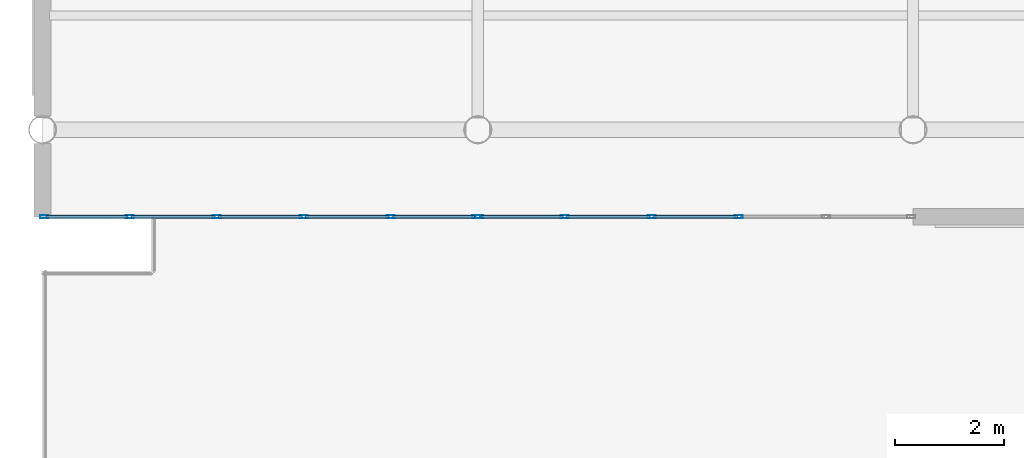
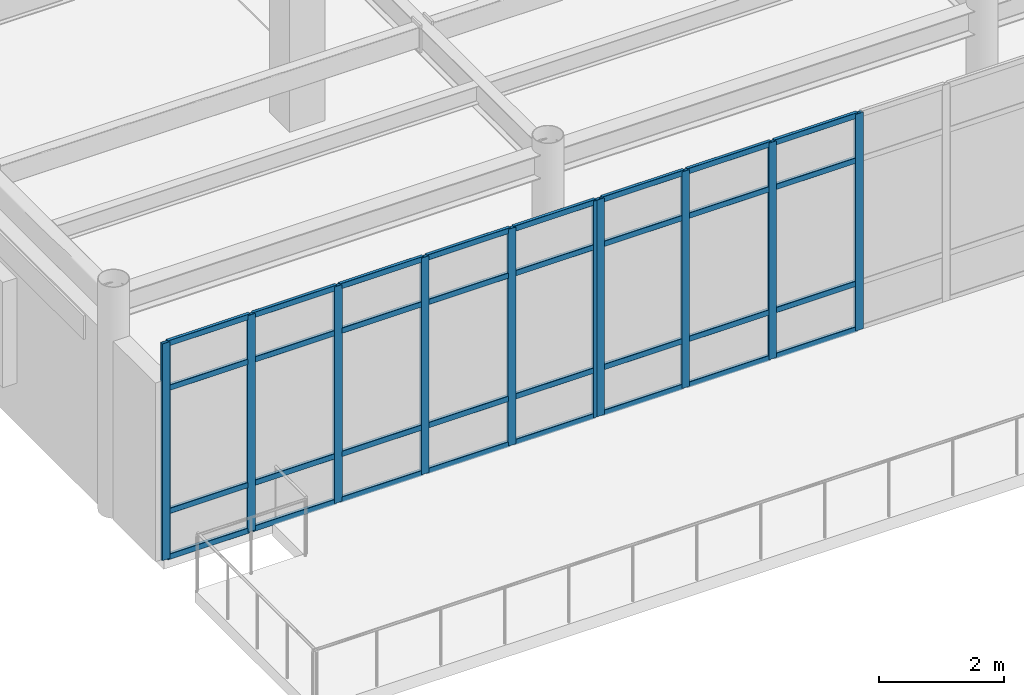
# One storey, part 32 of 93: 42 members, 2 elements without a shape of their own.
"""IFC4 building model written with IfcOpenShell, lengths in metres."""

from ifc_helpers import new_model, si_unit, direction, frame, origin, origin_2d, place, context, subcontext, project, spatial, hollow_rectangle, extrude, material, material_profile, profile_set, type_object, element, aggregate, save


model = new_model("IFC4")

# Units and contexts
model_context = context("Model", 3, precision=1e-05, world=origin(), true_north=direction((0.0, 1.0)))
body_context = subcontext(model_context, "Body", "Model", "MODEL_VIEW")
ifc_project = project(units=[si_unit("LENGTHUNIT", "METRE"), si_unit("AREAUNIT", "SQUARE_METRE"), si_unit("VOLUMEUNIT", "CUBIC_METRE"), si_unit("PLANEANGLEUNIT", "RADIAN"), si_unit("MASSUNIT", "GRAM", prefix="KILO")], contexts=[model_context])

# Site, building, storey
site_placement = place(None, origin())
site = spatial("IfcSite", under=ifc_project, at=site_placement, CompositionType="ELEMENT")
building_placement = place(site_placement, origin())
building = spatial("IfcBuilding", under=site, at=building_placement, Name="Solmirada Galleria", CompositionType="ELEMENT")
storey_placement = place(building_placement, frame((0.0, 0.0, 14.89990234375)))
storey = spatial("IfcBuildingStorey", under=building, at=storey_placement, Name="L03", CompositionType="ELEMENT", Elevation=14.89990234375)

# Curtain wall, members
ifc_material_1 = material(Name="Impact-resistant low-E double glazing", Category="glass")
curtain_wall_type = type_object("IfcCurtainWallType", Name="CW-FZ4-L03-B5-L080", PredefinedType="NOTDEFINED", material=ifc_material_1)
curtain_wall_1_placement = place(storey_placement, origin())
curtain_wall_1 = element("IfcCurtainWall", 1, at=curtain_wall_1_placement, inside=storey, type_object=curtain_wall_type, Name="Terrace and arcade storefront CW-L03-126", PredefinedType="NOTDEFINED")
ifc_material_2 = material(Name="Anodised aluminium framing", Category="aluminium")
ifc_material_profile_1 = material_profile(ifc_material_2, hollow_rectangle(XDim=0.06005859375, YDim=0.14990234375, WallThickness=0.00341796875, InnerFilletRadius=0.00341796875, OuterFilletRadius=0.007080078125, at=origin_2d()), Name="ALU-MULL-150X60")
ifc_profile_set_1 = profile_set([ifc_material_profile_1], Name="Anodised aluminium framing")
member_type_1 = type_object("IfcMemberType", Name="CW-MULL-150", PredefinedType="MULLION", material=ifc_profile_set_1)
member_1_placement = place(storey_placement, frame((52.800048828125, 86.39990234375, 0.0), z_axis=(0.0, 0.0, 1.0), x_axis=(0.0, -1.0, 0.0)))
member_1 = element("IfcMember", 2, at=member_1_placement, type_object=member_type_1, Name="CW28 mullion 3", PredefinedType="MULLION", context=body_context, shape_type="SweptSolid", body=[
    extrude(hollow_rectangle(XDim=0.06005859375, YDim=0.14990234375, WallThickness=0.00341796875, InnerFilletRadius=0.00341796875, OuterFilletRadius=0.007080078125, at=origin_2d()), origin(), (0.0, 0.0, 1.0), 4.22021484375),
])
member_2_placement = place(storey_placement, frame((51.199951171875, 86.39990234375, 0.0), z_axis=(0.0, 0.0, 1.0), x_axis=(0.0, -1.0, 0.0)))
member_2 = element("IfcMember", 3, at=member_2_placement, type_object=member_type_1, Name="CW28 mullion 4", PredefinedType="MULLION", context=body_context, shape_type="SweptSolid", body=[
    extrude(hollow_rectangle(XDim=0.06005859375, YDim=0.14990234375, WallThickness=0.00341796875, InnerFilletRadius=0.00341796875, OuterFilletRadius=0.007080078125, at=origin_2d()), origin(), (0.0, 0.0, 1.0), 4.22021484375),
])
member_3_placement = place(storey_placement, frame((49.60009765625, 86.39990234375, 0.0), z_axis=(0.0, 0.0, 1.0), x_axis=(0.0, -1.0, 0.0)))
member_3 = element("IfcMember", 4, at=member_3_placement, type_object=member_type_1, Name="CW28 mullion 5", PredefinedType="MULLION", context=body_context, shape_type="SweptSolid", body=[
    extrude(hollow_rectangle(XDim=0.06005859375, YDim=0.14990234375, WallThickness=0.00341796875, InnerFilletRadius=0.00341796875, OuterFilletRadius=0.007080078125, at=origin_2d()), origin(), (0.0, 0.0, 1.0), 4.22021484375),
])
member_4_placement = place(storey_placement, frame((48.030029296875, 86.39990234375, 0.0), z_axis=(0.0, 0.0, 1.0), x_axis=(0.0, -1.0, 0.0)))
member_4 = element("IfcMember", 5, at=member_4_placement, type_object=member_type_1, Name="CW28 mullion 6", PredefinedType="MULLION", context=body_context, shape_type="SweptSolid", body=[
    extrude(hollow_rectangle(XDim=0.06005859375, YDim=0.14990234375, WallThickness=0.00341796875, InnerFilletRadius=0.00341796875, OuterFilletRadius=0.007080078125, at=origin_2d()), origin(), (0.0, 0.0, 1.0), 4.22021484375),
])

curtain_wall_2_placement = place(storey_placement, origin())
curtain_wall_2 = element("IfcCurtainWall", 6, at=curtain_wall_2_placement, inside=storey, type_object=curtain_wall_type, Name="Terrace and arcade storefront CW-L03-127", PredefinedType="NOTDEFINED")
member_5_placement = place(storey_placement, frame((47.969970703125, 86.39990234375, 0.0), z_axis=(0.0, 0.0, 1.0), x_axis=(0.0, -1.0, 0.0)))
member_5 = element("IfcMember", 7, at=member_5_placement, type_object=member_type_1, Name="CW28 mullion 1", PredefinedType="MULLION", context=body_context, shape_type="SweptSolid", body=[
    extrude(hollow_rectangle(XDim=0.06005859375, YDim=0.14990234375, WallThickness=0.00341796875, InnerFilletRadius=0.00341796875, OuterFilletRadius=0.007080078125, at=origin_2d()), origin(), (0.0, 0.0, 1.0), 4.22021484375),
])
member_6_placement = place(storey_placement, frame((46.39990234375, 86.39990234375, 0.0), z_axis=(0.0, 0.0, 1.0), x_axis=(0.0, -1.0, 0.0)))
member_6 = element("IfcMember", 8, at=member_6_placement, type_object=member_type_1, Name="CW28 mullion 2", PredefinedType="MULLION", context=body_context, shape_type="SweptSolid", body=[
    extrude(hollow_rectangle(XDim=0.06005859375, YDim=0.14990234375, WallThickness=0.00341796875, InnerFilletRadius=0.00341796875, OuterFilletRadius=0.007080078125, at=origin_2d()), origin(), (0.0, 0.0, 1.0), 4.22021484375),
])
member_7_placement = place(storey_placement, frame((44.800048828125, 86.39990234375, 0.0), z_axis=(0.0, 0.0, 1.0), x_axis=(0.0, -1.0, 0.0)))
member_7 = element("IfcMember", 9, at=member_7_placement, type_object=member_type_1, Name="CW28 mullion 3", PredefinedType="MULLION", context=body_context, shape_type="SweptSolid", body=[
    extrude(hollow_rectangle(XDim=0.06005859375, YDim=0.14990234375, WallThickness=0.00341796875, InnerFilletRadius=0.00341796875, OuterFilletRadius=0.007080078125, at=origin_2d()), origin(), (0.0, 0.0, 1.0), 4.22021484375),
])
member_8_placement = place(storey_placement, frame((43.199951171875, 86.39990234375, 0.0), z_axis=(0.0, 0.0, 1.0), x_axis=(0.0, -1.0, 0.0)))
member_8 = element("IfcMember", 10, at=member_8_placement, type_object=member_type_1, Name="CW28 mullion 4", PredefinedType="MULLION", context=body_context, shape_type="SweptSolid", body=[
    extrude(hollow_rectangle(XDim=0.06005859375, YDim=0.14990234375, WallThickness=0.00341796875, InnerFilletRadius=0.00341796875, OuterFilletRadius=0.007080078125, at=origin_2d()), origin(), (0.0, 0.0, 1.0), 4.22021484375),
])
member_9_placement = place(storey_placement, frame((41.60009765625, 86.39990234375, 0.0), z_axis=(0.0, 0.0, 1.0), x_axis=(0.0, -1.0, 0.0)))
member_9 = element("IfcMember", 11, at=member_9_placement, type_object=member_type_1, Name="CW28 mullion 5", PredefinedType="MULLION", context=body_context, shape_type="SweptSolid", body=[
    extrude(hollow_rectangle(XDim=0.06005859375, YDim=0.14990234375, WallThickness=0.00341796875, InnerFilletRadius=0.00341796875, OuterFilletRadius=0.007080078125, at=origin_2d()), origin(), (0.0, 0.0, 1.0), 4.22021484375),
])
member_10_placement = place(storey_placement, frame((40.030029296875, 86.39990234375, 0.0), z_axis=(0.0, 0.0, 1.0), x_axis=(0.0, -1.0, 0.0)))
member_10 = element("IfcMember", 12, at=member_10_placement, type_object=member_type_1, Name="CW28 mullion 6", PredefinedType="MULLION", context=body_context, shape_type="SweptSolid", body=[
    extrude(hollow_rectangle(XDim=0.06005859375, YDim=0.14990234375, WallThickness=0.00341796875, InnerFilletRadius=0.00341796875, OuterFilletRadius=0.007080078125, at=origin_2d()), origin(), (0.0, 0.0, 1.0), 4.22021484375),
])

# Member
ifc_material_profile_2 = material_profile(ifc_material_2, hollow_rectangle(XDim=0.06005859375, YDim=0.110107421875, WallThickness=0.003173828125, InnerFilletRadius=0.003173828125, OuterFilletRadius=0.00634765625, at=origin_2d()), Name="ALU-TRAN-110X60")
ifc_profile_set_2 = profile_set([ifc_material_profile_2], Name="Anodised aluminium framing")
member_type_2 = type_object("IfcMemberType", Name="CW-TRAN-110", PredefinedType="USERDEFINED", material=ifc_profile_set_2)
member_11_placement = place(storey_placement, frame((52.77001953125, 86.39990234375, 0.030029296875), z_axis=(-1.0, 0.0, 0.0), x_axis=(0.0, -1.0, 0.0)))
member_11 = element("IfcMember", 13, at=member_11_placement, type_object=member_type_2, Name="CW28 transom 3.1", ObjectType="TRANSOM", PredefinedType="USERDEFINED", context=body_context, shape_type="SweptSolid", body=[
    extrude(hollow_rectangle(XDim=0.06005859375, YDim=0.110107421875, WallThickness=0.003173828125, InnerFilletRadius=0.003173828125, OuterFilletRadius=0.00634765625, at=origin_2d()), origin(), (0.0, 0.0, 1.0), 1.5400390625),
])

member_12_placement = place(storey_placement, frame((52.77001953125, 86.39990234375, 0.920166015625), z_axis=(-1.0, 0.0, 0.0), x_axis=(0.0, -1.0, 0.0)))
member_12 = element("IfcMember", 14, at=member_12_placement, type_object=member_type_2, Name="CW28 transom 3.2", ObjectType="TRANSOM", PredefinedType="USERDEFINED", context=body_context, shape_type="SweptSolid", body=[
    extrude(hollow_rectangle(XDim=0.06005859375, YDim=0.110107421875, WallThickness=0.003173828125, InnerFilletRadius=0.003173828125, OuterFilletRadius=0.00634765625, at=origin_2d()), origin(), (0.0, 0.0, 1.0), 1.5400390625),
])

member_13_placement = place(storey_placement, frame((52.77001953125, 86.39990234375, 3.320068359375), z_axis=(-1.0, 0.0, 0.0), x_axis=(0.0, -1.0, 0.0)))
member_13 = element("IfcMember", 15, at=member_13_placement, type_object=member_type_2, Name="CW28 transom 3.3", ObjectType="TRANSOM", PredefinedType="USERDEFINED", context=body_context, shape_type="SweptSolid", body=[
    extrude(hollow_rectangle(XDim=0.06005859375, YDim=0.110107421875, WallThickness=0.003173828125, InnerFilletRadius=0.003173828125, OuterFilletRadius=0.00634765625, at=origin_2d()), origin(), (0.0, 0.0, 1.0), 1.5400390625),
])

member_14_placement = place(storey_placement, frame((52.77001953125, 86.39990234375, 4.190185546875), z_axis=(-1.0, 0.0, 0.0), x_axis=(0.0, -1.0, 0.0)))
member_14 = element("IfcMember", 16, at=member_14_placement, type_object=member_type_2, Name="CW28 transom 3.4", ObjectType="TRANSOM", PredefinedType="USERDEFINED", context=body_context, shape_type="SweptSolid", body=[
    extrude(hollow_rectangle(XDim=0.06005859375, YDim=0.110107421875, WallThickness=0.003173828125, InnerFilletRadius=0.003173828125, OuterFilletRadius=0.00634765625, at=origin_2d()), origin(), (0.0, 0.0, 1.0), 1.5400390625),
])

member_15_placement = place(storey_placement, frame((51.169921875, 86.39990234375, 0.030029296875), z_axis=(-1.0, 0.0, 0.0), x_axis=(0.0, -1.0, 0.0)))
member_15 = element("IfcMember", 17, at=member_15_placement, type_object=member_type_2, Name="CW28 transom 4.1", ObjectType="TRANSOM", PredefinedType="USERDEFINED", context=body_context, shape_type="SweptSolid", body=[
    extrude(hollow_rectangle(XDim=0.06005859375, YDim=0.110107421875, WallThickness=0.003173828125, InnerFilletRadius=0.003173828125, OuterFilletRadius=0.00634765625, at=origin_2d()), origin(), (0.0, 0.0, 1.0), 1.5400390625),
])

member_16_placement = place(storey_placement, frame((51.169921875, 86.39990234375, 0.920166015625), z_axis=(-1.0, 0.0, 0.0), x_axis=(0.0, -1.0, 0.0)))
member_16 = element("IfcMember", 18, at=member_16_placement, type_object=member_type_2, Name="CW28 transom 4.2", ObjectType="TRANSOM", PredefinedType="USERDEFINED", context=body_context, shape_type="SweptSolid", body=[
    extrude(hollow_rectangle(XDim=0.06005859375, YDim=0.110107421875, WallThickness=0.003173828125, InnerFilletRadius=0.003173828125, OuterFilletRadius=0.00634765625, at=origin_2d()), origin(), (0.0, 0.0, 1.0), 1.5400390625),
])

member_17_placement = place(storey_placement, frame((51.169921875, 86.39990234375, 3.320068359375), z_axis=(-1.0, 0.0, 0.0), x_axis=(0.0, -1.0, 0.0)))
member_17 = element("IfcMember", 19, at=member_17_placement, type_object=member_type_2, Name="CW28 transom 4.3", ObjectType="TRANSOM", PredefinedType="USERDEFINED", context=body_context, shape_type="SweptSolid", body=[
    extrude(hollow_rectangle(XDim=0.06005859375, YDim=0.110107421875, WallThickness=0.003173828125, InnerFilletRadius=0.003173828125, OuterFilletRadius=0.00634765625, at=origin_2d()), origin(), (0.0, 0.0, 1.0), 1.5400390625),
])

member_18_placement = place(storey_placement, frame((51.169921875, 86.39990234375, 4.190185546875), z_axis=(-1.0, 0.0, 0.0), x_axis=(0.0, -1.0, 0.0)))
member_18 = element("IfcMember", 20, at=member_18_placement, type_object=member_type_2, Name="CW28 transom 4.4", ObjectType="TRANSOM", PredefinedType="USERDEFINED", context=body_context, shape_type="SweptSolid", body=[
    extrude(hollow_rectangle(XDim=0.06005859375, YDim=0.110107421875, WallThickness=0.003173828125, InnerFilletRadius=0.003173828125, OuterFilletRadius=0.00634765625, at=origin_2d()), origin(), (0.0, 0.0, 1.0), 1.5400390625),
])

member_19_placement = place(storey_placement, frame((49.570068359375, 86.39990234375, 0.030029296875), z_axis=(-1.0, 0.0, 0.0), x_axis=(0.0, -1.0, 0.0)))
member_19 = element("IfcMember", 21, at=member_19_placement, type_object=member_type_2, Name="CW28 transom 5.1", ObjectType="TRANSOM", PredefinedType="USERDEFINED", context=body_context, shape_type="SweptSolid", body=[
    extrude(hollow_rectangle(XDim=0.06005859375, YDim=0.110107421875, WallThickness=0.003173828125, InnerFilletRadius=0.003173828125, OuterFilletRadius=0.00634765625, at=origin_2d()), origin(), (0.0, 0.0, 1.0), 1.510009765625),
])

member_20_placement = place(storey_placement, frame((49.570068359375, 86.39990234375, 0.920166015625), z_axis=(-1.0, 0.0, 0.0), x_axis=(0.0, -1.0, 0.0)))
member_20 = element("IfcMember", 22, at=member_20_placement, type_object=member_type_2, Name="CW28 transom 5.2", ObjectType="TRANSOM", PredefinedType="USERDEFINED", context=body_context, shape_type="SweptSolid", body=[
    extrude(hollow_rectangle(XDim=0.06005859375, YDim=0.110107421875, WallThickness=0.003173828125, InnerFilletRadius=0.003173828125, OuterFilletRadius=0.00634765625, at=origin_2d()), origin(), (0.0, 0.0, 1.0), 1.510009765625),
])

member_21_placement = place(storey_placement, frame((49.570068359375, 86.39990234375, 3.320068359375), z_axis=(-1.0, 0.0, 0.0), x_axis=(0.0, -1.0, 0.0)))
member_21 = element("IfcMember", 23, at=member_21_placement, type_object=member_type_2, Name="CW28 transom 5.3", ObjectType="TRANSOM", PredefinedType="USERDEFINED", context=body_context, shape_type="SweptSolid", body=[
    extrude(hollow_rectangle(XDim=0.06005859375, YDim=0.110107421875, WallThickness=0.003173828125, InnerFilletRadius=0.003173828125, OuterFilletRadius=0.00634765625, at=origin_2d()), origin(), (0.0, 0.0, 1.0), 1.510009765625),
])

member_22_placement = place(storey_placement, frame((49.570068359375, 86.39990234375, 4.190185546875), z_axis=(-1.0, 0.0, 0.0), x_axis=(0.0, -1.0, 0.0)))
member_22 = element("IfcMember", 24, at=member_22_placement, type_object=member_type_2, Name="CW28 transom 5.4", ObjectType="TRANSOM", PredefinedType="USERDEFINED", context=body_context, shape_type="SweptSolid", body=[
    extrude(hollow_rectangle(XDim=0.06005859375, YDim=0.110107421875, WallThickness=0.003173828125, InnerFilletRadius=0.003173828125, OuterFilletRadius=0.00634765625, at=origin_2d()), origin(), (0.0, 0.0, 1.0), 1.510009765625),
])

aggregate(curtain_wall_1, [member_1, member_2, member_3, member_4, member_11, member_12, member_13, member_14, member_15, member_16, member_17, member_18, member_19, member_20, member_21, member_22])

member_23_placement = place(storey_placement, frame((47.93994140625, 86.39990234375, 0.030029296875), z_axis=(-1.0, 0.0, 0.0), x_axis=(0.0, -1.0, 0.0)))
member_23 = element("IfcMember", 25, at=member_23_placement, type_object=member_type_2, Name="CW28 transom 1.1", ObjectType="TRANSOM", PredefinedType="USERDEFINED", context=body_context, shape_type="SweptSolid", body=[
    extrude(hollow_rectangle(XDim=0.06005859375, YDim=0.110107421875, WallThickness=0.003173828125, InnerFilletRadius=0.003173828125, OuterFilletRadius=0.00634765625, at=origin_2d()), origin(), (0.0, 0.0, 1.0), 1.510009765625),
])

member_24_placement = place(storey_placement, frame((47.93994140625, 86.39990234375, 0.920166015625), z_axis=(-1.0, 0.0, 0.0), x_axis=(0.0, -1.0, 0.0)))
member_24 = element("IfcMember", 26, at=member_24_placement, type_object=member_type_2, Name="CW28 transom 1.2", ObjectType="TRANSOM", PredefinedType="USERDEFINED", context=body_context, shape_type="SweptSolid", body=[
    extrude(hollow_rectangle(XDim=0.06005859375, YDim=0.110107421875, WallThickness=0.003173828125, InnerFilletRadius=0.003173828125, OuterFilletRadius=0.00634765625, at=origin_2d()), origin(), (0.0, 0.0, 1.0), 1.510009765625),
])

member_25_placement = place(storey_placement, frame((47.93994140625, 86.39990234375, 3.320068359375), z_axis=(-1.0, 0.0, 0.0), x_axis=(0.0, -1.0, 0.0)))
member_25 = element("IfcMember", 27, at=member_25_placement, type_object=member_type_2, Name="CW28 transom 1.3", ObjectType="TRANSOM", PredefinedType="USERDEFINED", context=body_context, shape_type="SweptSolid", body=[
    extrude(hollow_rectangle(XDim=0.06005859375, YDim=0.110107421875, WallThickness=0.003173828125, InnerFilletRadius=0.003173828125, OuterFilletRadius=0.00634765625, at=origin_2d()), origin(), (0.0, 0.0, 1.0), 1.510009765625),
])

member_26_placement = place(storey_placement, frame((47.93994140625, 86.39990234375, 4.190185546875), z_axis=(-1.0, 0.0, 0.0), x_axis=(0.0, -1.0, 0.0)))
member_26 = element("IfcMember", 28, at=member_26_placement, type_object=member_type_2, Name="CW28 transom 1.4", ObjectType="TRANSOM", PredefinedType="USERDEFINED", context=body_context, shape_type="SweptSolid", body=[
    extrude(hollow_rectangle(XDim=0.06005859375, YDim=0.110107421875, WallThickness=0.003173828125, InnerFilletRadius=0.003173828125, OuterFilletRadius=0.00634765625, at=origin_2d()), origin(), (0.0, 0.0, 1.0), 1.510009765625),
])

member_27_placement = place(storey_placement, frame((46.3701171875, 86.39990234375, 0.030029296875), z_axis=(-1.0, 0.0, 0.0), x_axis=(0.0, -1.0, 0.0)))
member_27 = element("IfcMember", 29, at=member_27_placement, type_object=member_type_2, Name="CW28 transom 2.1", ObjectType="TRANSOM", PredefinedType="USERDEFINED", context=body_context, shape_type="SweptSolid", body=[
    extrude(hollow_rectangle(XDim=0.06005859375, YDim=0.110107421875, WallThickness=0.003173828125, InnerFilletRadius=0.003173828125, OuterFilletRadius=0.00634765625, at=origin_2d()), origin(), (0.0, 0.0, 1.0), 1.5400390625),
])

member_28_placement = place(storey_placement, frame((46.3701171875, 86.39990234375, 0.920166015625), z_axis=(-1.0, 0.0, 0.0), x_axis=(0.0, -1.0, 0.0)))
member_28 = element("IfcMember", 30, at=member_28_placement, type_object=member_type_2, Name="CW28 transom 2.2", ObjectType="TRANSOM", PredefinedType="USERDEFINED", context=body_context, shape_type="SweptSolid", body=[
    extrude(hollow_rectangle(XDim=0.06005859375, YDim=0.110107421875, WallThickness=0.003173828125, InnerFilletRadius=0.003173828125, OuterFilletRadius=0.00634765625, at=origin_2d()), origin(), (0.0, 0.0, 1.0), 1.5400390625),
])

member_29_placement = place(storey_placement, frame((46.3701171875, 86.39990234375, 3.320068359375), z_axis=(-1.0, 0.0, 0.0), x_axis=(0.0, -1.0, 0.0)))
member_29 = element("IfcMember", 31, at=member_29_placement, type_object=member_type_2, Name="CW28 transom 2.3", ObjectType="TRANSOM", PredefinedType="USERDEFINED", context=body_context, shape_type="SweptSolid", body=[
    extrude(hollow_rectangle(XDim=0.06005859375, YDim=0.110107421875, WallThickness=0.003173828125, InnerFilletRadius=0.003173828125, OuterFilletRadius=0.00634765625, at=origin_2d()), origin(), (0.0, 0.0, 1.0), 1.5400390625),
])

member_30_placement = place(storey_placement, frame((46.3701171875, 86.39990234375, 4.190185546875), z_axis=(-1.0, 0.0, 0.0), x_axis=(0.0, -1.0, 0.0)))
member_30 = element("IfcMember", 32, at=member_30_placement, type_object=member_type_2, Name="CW28 transom 2.4", ObjectType="TRANSOM", PredefinedType="USERDEFINED", context=body_context, shape_type="SweptSolid", body=[
    extrude(hollow_rectangle(XDim=0.06005859375, YDim=0.110107421875, WallThickness=0.003173828125, InnerFilletRadius=0.003173828125, OuterFilletRadius=0.00634765625, at=origin_2d()), origin(), (0.0, 0.0, 1.0), 1.5400390625),
])

member_31_placement = place(storey_placement, frame((44.77001953125, 86.39990234375, 0.030029296875), z_axis=(-1.0, 0.0, 0.0), x_axis=(0.0, -1.0, 0.0)))
member_31 = element("IfcMember", 33, at=member_31_placement, type_object=member_type_2, Name="CW28 transom 3.1", ObjectType="TRANSOM", PredefinedType="USERDEFINED", context=body_context, shape_type="SweptSolid", body=[
    extrude(hollow_rectangle(XDim=0.06005859375, YDim=0.110107421875, WallThickness=0.003173828125, InnerFilletRadius=0.003173828125, OuterFilletRadius=0.00634765625, at=origin_2d()), origin(), (0.0, 0.0, 1.0), 1.5400390625),
])

member_32_placement = place(storey_placement, frame((44.77001953125, 86.39990234375, 0.920166015625), z_axis=(-1.0, 0.0, 0.0), x_axis=(0.0, -1.0, 0.0)))
member_32 = element("IfcMember", 34, at=member_32_placement, type_object=member_type_2, Name="CW28 transom 3.2", ObjectType="TRANSOM", PredefinedType="USERDEFINED", context=body_context, shape_type="SweptSolid", body=[
    extrude(hollow_rectangle(XDim=0.06005859375, YDim=0.110107421875, WallThickness=0.003173828125, InnerFilletRadius=0.003173828125, OuterFilletRadius=0.00634765625, at=origin_2d()), origin(), (0.0, 0.0, 1.0), 1.5400390625),
])

member_33_placement = place(storey_placement, frame((44.77001953125, 86.39990234375, 3.320068359375), z_axis=(-1.0, 0.0, 0.0), x_axis=(0.0, -1.0, 0.0)))
member_33 = element("IfcMember", 35, at=member_33_placement, type_object=member_type_2, Name="CW28 transom 3.3", ObjectType="TRANSOM", PredefinedType="USERDEFINED", context=body_context, shape_type="SweptSolid", body=[
    extrude(hollow_rectangle(XDim=0.06005859375, YDim=0.110107421875, WallThickness=0.003173828125, InnerFilletRadius=0.003173828125, OuterFilletRadius=0.00634765625, at=origin_2d()), origin(), (0.0, 0.0, 1.0), 1.5400390625),
])

member_34_placement = place(storey_placement, frame((44.77001953125, 86.39990234375, 4.190185546875), z_axis=(-1.0, 0.0, 0.0), x_axis=(0.0, -1.0, 0.0)))
member_34 = element("IfcMember", 36, at=member_34_placement, type_object=member_type_2, Name="CW28 transom 3.4", ObjectType="TRANSOM", PredefinedType="USERDEFINED", context=body_context, shape_type="SweptSolid", body=[
    extrude(hollow_rectangle(XDim=0.06005859375, YDim=0.110107421875, WallThickness=0.003173828125, InnerFilletRadius=0.003173828125, OuterFilletRadius=0.00634765625, at=origin_2d()), origin(), (0.0, 0.0, 1.0), 1.5400390625),
])

member_35_placement = place(storey_placement, frame((43.169921875, 86.39990234375, 0.030029296875), z_axis=(-1.0, 0.0, 0.0), x_axis=(0.0, -1.0, 0.0)))
member_35 = element("IfcMember", 37, at=member_35_placement, type_object=member_type_2, Name="CW28 transom 4.1", ObjectType="TRANSOM", PredefinedType="USERDEFINED", context=body_context, shape_type="SweptSolid", body=[
    extrude(hollow_rectangle(XDim=0.06005859375, YDim=0.110107421875, WallThickness=0.003173828125, InnerFilletRadius=0.003173828125, OuterFilletRadius=0.00634765625, at=origin_2d()), origin(), (0.0, 0.0, 1.0), 1.5400390625),
])

member_36_placement = place(storey_placement, frame((43.169921875, 86.39990234375, 0.920166015625), z_axis=(-1.0, 0.0, 0.0), x_axis=(0.0, -1.0, 0.0)))
member_36 = element("IfcMember", 38, at=member_36_placement, type_object=member_type_2, Name="CW28 transom 4.2", ObjectType="TRANSOM", PredefinedType="USERDEFINED", context=body_context, shape_type="SweptSolid", body=[
    extrude(hollow_rectangle(XDim=0.06005859375, YDim=0.110107421875, WallThickness=0.003173828125, InnerFilletRadius=0.003173828125, OuterFilletRadius=0.00634765625, at=origin_2d()), origin(), (0.0, 0.0, 1.0), 1.5400390625),
])

member_37_placement = place(storey_placement, frame((43.169921875, 86.39990234375, 3.320068359375), z_axis=(-1.0, 0.0, 0.0), x_axis=(0.0, -1.0, 0.0)))
member_37 = element("IfcMember", 39, at=member_37_placement, type_object=member_type_2, Name="CW28 transom 4.3", ObjectType="TRANSOM", PredefinedType="USERDEFINED", context=body_context, shape_type="SweptSolid", body=[
    extrude(hollow_rectangle(XDim=0.06005859375, YDim=0.110107421875, WallThickness=0.003173828125, InnerFilletRadius=0.003173828125, OuterFilletRadius=0.00634765625, at=origin_2d()), origin(), (0.0, 0.0, 1.0), 1.5400390625),
])

member_38_placement = place(storey_placement, frame((43.169921875, 86.39990234375, 4.190185546875), z_axis=(-1.0, 0.0, 0.0), x_axis=(0.0, -1.0, 0.0)))
member_38 = element("IfcMember", 40, at=member_38_placement, type_object=member_type_2, Name="CW28 transom 4.4", ObjectType="TRANSOM", PredefinedType="USERDEFINED", context=body_context, shape_type="SweptSolid", body=[
    extrude(hollow_rectangle(XDim=0.06005859375, YDim=0.110107421875, WallThickness=0.003173828125, InnerFilletRadius=0.003173828125, OuterFilletRadius=0.00634765625, at=origin_2d()), origin(), (0.0, 0.0, 1.0), 1.5400390625),
])

member_39_placement = place(storey_placement, frame((41.570068359375, 86.39990234375, 0.030029296875), z_axis=(-1.0, 0.0, 0.0), x_axis=(0.0, -1.0, 0.0)))
member_39 = element("IfcMember", 41, at=member_39_placement, type_object=member_type_2, Name="CW28 transom 5.1", ObjectType="TRANSOM", PredefinedType="USERDEFINED", context=body_context, shape_type="SweptSolid", body=[
    extrude(hollow_rectangle(XDim=0.06005859375, YDim=0.110107421875, WallThickness=0.003173828125, InnerFilletRadius=0.003173828125, OuterFilletRadius=0.00634765625, at=origin_2d()), origin(), (0.0, 0.0, 1.0), 1.510009765625),
])

member_40_placement = place(storey_placement, frame((41.570068359375, 86.39990234375, 0.920166015625), z_axis=(-1.0, 0.0, 0.0), x_axis=(0.0, -1.0, 0.0)))
member_40 = element("IfcMember", 42, at=member_40_placement, type_object=member_type_2, Name="CW28 transom 5.2", ObjectType="TRANSOM", PredefinedType="USERDEFINED", context=body_context, shape_type="SweptSolid", body=[
    extrude(hollow_rectangle(XDim=0.06005859375, YDim=0.110107421875, WallThickness=0.003173828125, InnerFilletRadius=0.003173828125, OuterFilletRadius=0.00634765625, at=origin_2d()), origin(), (0.0, 0.0, 1.0), 1.510009765625),
])

member_41_placement = place(storey_placement, frame((41.570068359375, 86.39990234375, 3.320068359375), z_axis=(-1.0, 0.0, 0.0), x_axis=(0.0, -1.0, 0.0)))
member_41 = element("IfcMember", 43, at=member_41_placement, type_object=member_type_2, Name="CW28 transom 5.3", ObjectType="TRANSOM", PredefinedType="USERDEFINED", context=body_context, shape_type="SweptSolid", body=[
    extrude(hollow_rectangle(XDim=0.06005859375, YDim=0.110107421875, WallThickness=0.003173828125, InnerFilletRadius=0.003173828125, OuterFilletRadius=0.00634765625, at=origin_2d()), origin(), (0.0, 0.0, 1.0), 1.510009765625),
])

member_42_placement = place(storey_placement, frame((41.570068359375, 86.39990234375, 4.190185546875), z_axis=(-1.0, 0.0, 0.0), x_axis=(0.0, -1.0, 0.0)))
member_42 = element("IfcMember", 44, at=member_42_placement, type_object=member_type_2, Name="CW28 transom 5.4", ObjectType="TRANSOM", PredefinedType="USERDEFINED", context=body_context, shape_type="SweptSolid", body=[
    extrude(hollow_rectangle(XDim=0.06005859375, YDim=0.110107421875, WallThickness=0.003173828125, InnerFilletRadius=0.003173828125, OuterFilletRadius=0.00634765625, at=origin_2d()), origin(), (0.0, 0.0, 1.0), 1.510009765625),
])

aggregate(curtain_wall_2, [member_5, member_6, member_7, member_8, member_9, member_10, member_23, member_24, member_25, member_26, member_27, member_28, member_29, member_30, member_31, member_32, member_33, member_34, member_35, member_36, member_37, member_38, member_39, member_40, member_41, member_42])

save(model, "model.ifc")
